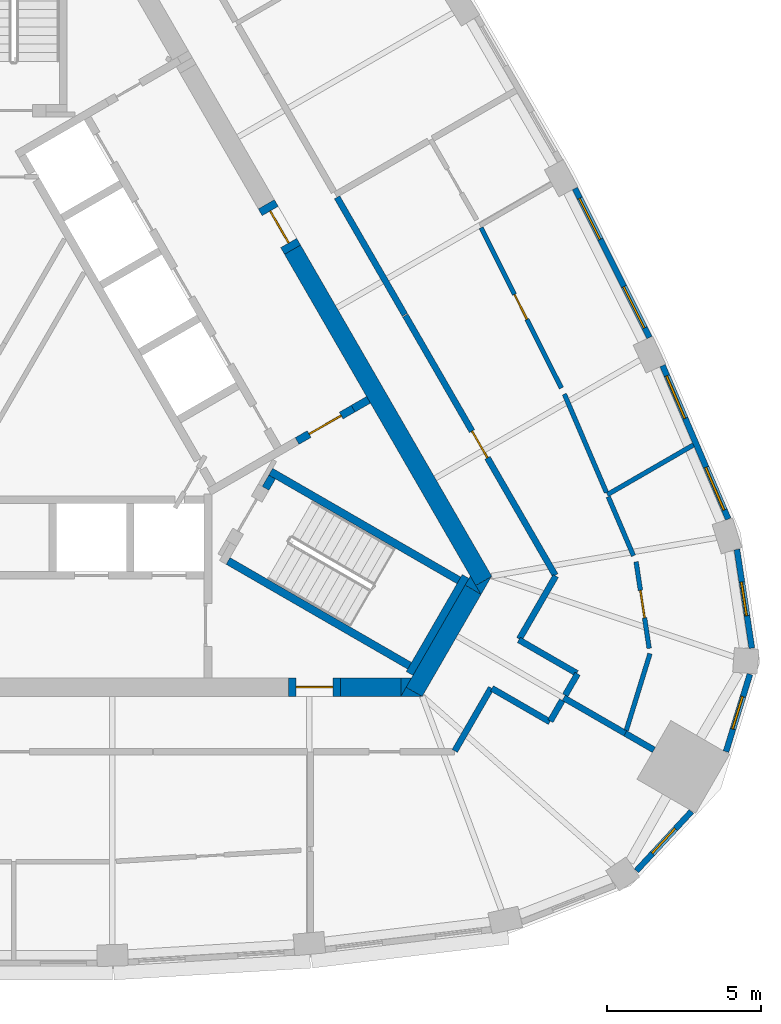
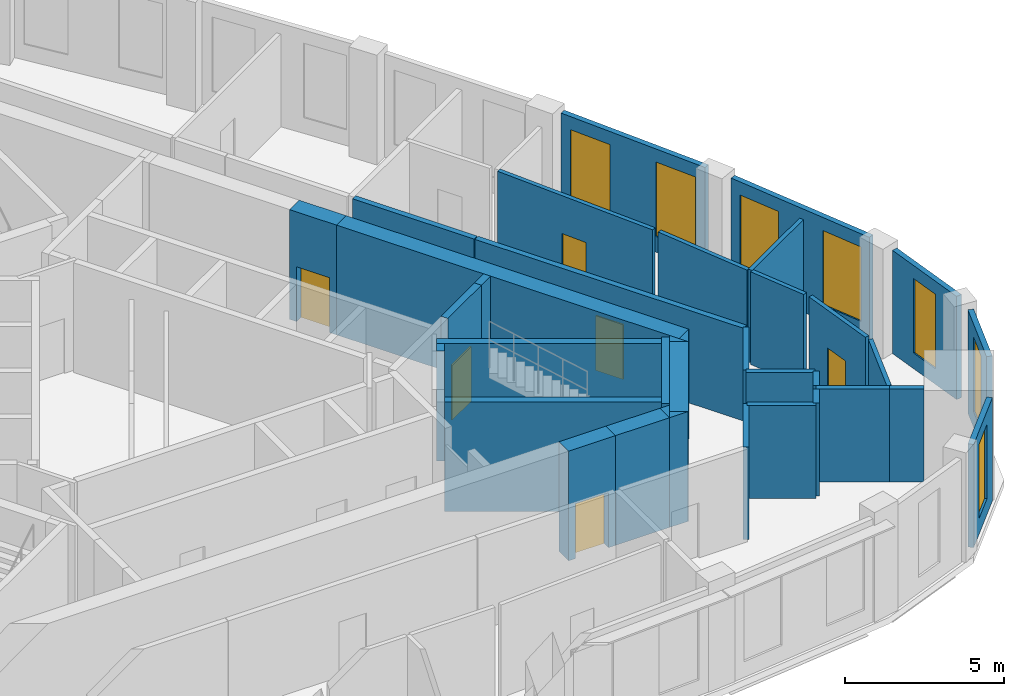
# One storey, part 7 of 10: 36 walls, 7 windows, 6 doors, 13 openings.
"""IFC4 building model written with IfcOpenShell, lengths in metres."""

from ifc_helpers import new_model, si_unit, direction, frame, frame_2d, origin, place, context, subcontext, project, spatial, polyline, rectangle, outline, extrude, material, layer, layer_set, type_object, element, fill, save


model = new_model("IFC4")

# Units and contexts
model_context = context("Model", 3, precision=1e-05, world=origin(), true_north=direction((0.0, 1.0)))
body_context = subcontext(model_context, "Body", "Model", "MODEL_VIEW")
ifc_project = project(units=[si_unit("LENGTHUNIT", "METRE"), si_unit("AREAUNIT", "SQUARE_METRE"), si_unit("VOLUMEUNIT", "CUBIC_METRE"), si_unit("PLANEANGLEUNIT", "RADIAN"), si_unit("MASSUNIT", "GRAM", prefix="KILO")], contexts=[model_context])

# Site, building, storey
site_placement = place(None, origin())
site = spatial("IfcSite", under=ifc_project, at=site_placement, CompositionType="ELEMENT")
building_placement = place(site_placement, origin())
building = spatial("IfcBuilding", under=site, at=building_placement, Name="Mestral Congress Tower", CompositionType="ELEMENT")
storey_placement = place(building_placement, frame((0.0, 0.0, 304.800048828125)))
storey = spatial("IfcBuildingStorey", under=building, at=storey_placement, Name="L71", CompositionType="ELEMENT", Elevation=304.800048828125)

# Walls
ifc_material_1 = material(Name="Concrete C60/75", Category="concrete")
ifc_layer_1 = layer(ifc_material_1, 0.60009765625)
ifc_layer_set_1 = layer_set([ifc_layer_1], Name="Concrete C60/75")
wall_type_1 = type_object("IfcWallType", Name="Core wall RC 600", PredefinedType="SOLIDWALL", material=ifc_layer_set_1)
wall_1_placement = place(storey_placement, frame((9.0419921875, 4.23876953125, 0.0), z_axis=(0.0, 0.0, 1.0), x_axis=(0.500005785455, -0.866022063525, 0.0)))
element("IfcWall", 1, at=wall_1_placement, inside=storey, type_object=wall_type_1, Name="L71 core wall", PredefinedType="SOLIDWALL", context=body_context, shape_type="SweptSolid", body=[
    extrude(rectangle(XDim=12.406494140625, YDim=0.60009765625, at=frame_2d((6.203125, 0.0))), origin(), (0.0, 0.0, 1.0), 4.199951171875),
])
placement = place(storey_placement, origin())
element("IfcWall", 2, at=placement, inside=storey, type_object=wall_type_1, Name="L71 core wall", PredefinedType="SOLIDWALL", context=body_context, shape_type="SweptSolid", body=[
    extrude(outline(polyline([(15.155517578125, -6.949951171875), (14.986572265625, -6.6572265625), (15.493408203125, -6.364501953125), (15.155517578125, -6.949951171875)])), origin(), (0.0, 0.0, 1.0), 4.199951171875),
])
wall_3_placement = place(storey_placement, frame((12.9873046875, -10.105712890625, 0.0), z_axis=(0.0, 0.0, 1.0), x_axis=(0.499950938802, 0.866053727428, 0.0)))
element("IfcWall", 3, at=wall_3_placement, inside=storey, type_object=wall_type_1, Name="L71 core wall", PredefinedType="SOLIDWALL", context=body_context, shape_type="SweptSolid", body=[
    extrude(rectangle(XDim=3.8232421875, YDim=0.60009765625, at=frame_2d((1.91162109375, 0.0))), origin(), (0.0, 0.0, 1.0), 4.199951171875),
])
element("IfcWall", 4, at=placement, inside=storey, type_object=wall_type_1, Name="L71 core wall", PredefinedType="SOLIDWALL", context=body_context, shape_type="SweptSolid", body=[
    extrude(outline(polyline([(12.726318359375, -9.957275390625), (13.2333984375, -10.25), (12.557373046875, -10.25), (12.726318359375, -9.957275390625)])), origin(), (0.0, 0.0, 1.0), 4.199951171875),
])
element("IfcWall", 5, at=placement, inside=storey, type_object=wall_type_1, Name="L71 core wall", PredefinedType="SOLIDWALL", context=body_context, shape_type="SweptSolid", body=[
    extrude(outline(polyline([(14.80908203125, -6.35009765625), (15.147216796875, -6.935791015625), (14.639892578125, -6.642822265625), (14.80908203125, -6.35009765625)])), origin(), (0.0, 0.0, 1.0), 4.199951171875),
])
wall_6_placement = place(storey_placement, frame((10.6044921875, -9.949951171875, 0.0), z_axis=(0.0, 0.0, 1.0), x_axis=(1.0, 0.0, 0.0)))
element("IfcWall", 6, at=wall_6_placement, inside=storey, type_object=wall_type_1, Name="L71 core wall", PredefinedType="SOLIDWALL", context=body_context, shape_type="SweptSolid", body=[
    extrude(rectangle(XDim=1.959228515625, YDim=0.60009765625, at=frame_2d((0.9794921875, 0.0))), origin(), (0.0, 0.0, 1.0), 4.199951171875),
])
element("IfcWall", 7, at=placement, inside=storey, type_object=wall_type_1, Name="L71 core wall", PredefinedType="SOLIDWALL", context=body_context, shape_type="SweptSolid", body=[
    extrude(outline(polyline([(12.90380859375, -9.64990234375), (12.56591796875, -10.235595703125), (12.56591796875, -9.64990234375), (12.90380859375, -9.64990234375)])), origin(), (0.0, 0.0, 1.0), 4.199951171875),
])

# Wall, opening, door
wall_8_placement = place(storey_placement, frame((10.6044921875, -9.949951171875, 0.0), z_axis=(0.0, 0.0, 1.0), x_axis=(-1.0, 0.0, 0.0)))
wall_8 = element("IfcWall", 8, at=wall_8_placement, inside=storey, type_object=wall_type_1, Name="L71 door wall", PredefinedType="SOLIDWALL", context=body_context, shape_type="SweptSolid", body=[
    extrude(rectangle(XDim=1.699951171875, YDim=0.60009765625, at=frame_2d((0.85009765625, 0.0))), origin(), (0.0, 0.0, 1.0), 4.199951171875),
])
opening_1_placement = place(wall_8_placement, frame((0.25, 0.0, 0.0)))
opening_1 = element("IfcOpeningElement", 9, at=opening_1_placement, cuts=wall_8, Name="Opening XD1", PredefinedType="OPENING", context=body_context, shape_type="SweptSolid", body=[
    extrude(rectangle(XDim=1.199951171875, YDim=2.10009765625, at=frame_2d((0.60009765625, 1.050048828125))), frame((0.0, 0.31005859375, 0.0), z_axis=(0.0, -1.0, 0.0), x_axis=(1.0, 0.0, 0.0)), (0.0, 0.0, 1.0), 0.6201171875),
])
ifc_material_2 = material(Name="Fire-rated steel door set", Category="steel")
door_type_1 = type_object("IfcDoorType", Name="Core door XD 1200x2100", OperationType="SINGLE_SWING_LEFT", PredefinedType="DOOR", material=ifc_material_2)
door_1_placement = place(opening_1_placement, origin())
door_1 = element("IfcDoor", 10, at=door_1_placement, inside=storey, type_object=door_type_1, Name="Door XD1", OperationType="SINGLE_SWING_LEFT", OverallHeight=2.10009765625, OverallWidth=1.199951171875, PredefinedType="DOOR", context=body_context, shape_type="SweptSolid", body=[
    extrude(rectangle(XDim=1.199951171875, YDim=2.10009765625, at=frame_2d((0.60009765625, 1.050048828125))), frame((0.0, 0.02490234375, 0.0), z_axis=(0.0, -1.0, 0.0), x_axis=(1.0, 0.0, 0.0)), (0.0, 0.0, 1.0), 0.050048828125),
])
fill(opening_1, door_1)

wall_9_placement = place(storey_placement, frame((8.19189453125, 5.711181640625, 0.0), z_axis=(0.0, 0.0, 1.0), x_axis=(0.500062241894, -0.865989465428, 0.0)))
wall_9 = element("IfcWall", 11, at=wall_9_placement, inside=storey, type_object=wall_type_1, Name="L71 door wall", PredefinedType="SOLIDWALL", context=body_context, shape_type="SweptSolid", body=[
    extrude(rectangle(XDim=1.699951171875, YDim=0.60009765625, at=frame_2d((0.85009765625, 0.0))), origin(), (0.0, 0.0, 1.0), 4.199951171875),
])
opening_2_placement = place(wall_9_placement, frame((0.25, 0.0, 0.0)))
opening_2 = element("IfcOpeningElement", 12, at=opening_2_placement, cuts=wall_9, Name="Opening XDL", PredefinedType="OPENING", context=body_context, shape_type="SweptSolid", body=[
    extrude(rectangle(XDim=1.199951171875, YDim=2.10009765625, at=frame_2d((0.60009765625, 1.050048828125))), frame((0.0, 0.31005859375, 0.0), z_axis=(0.0, -1.0, 0.0), x_axis=(1.0, 0.0, 0.0)), (0.0, 0.0, 1.0), 0.6201171875),
])
door_2_placement = place(opening_2_placement, origin())
door_2 = element("IfcDoor", 13, at=door_2_placement, inside=storey, type_object=door_type_1, Name="Door XDL", OperationType="SINGLE_SWING_LEFT", OverallHeight=2.10009765625, OverallWidth=1.199951171875, PredefinedType="DOOR", context=body_context, shape_type="SweptSolid", body=[
    extrude(rectangle(XDim=1.199951171875, YDim=2.10009765625, at=frame_2d((0.60009765625, 1.050048828125))), frame((0.0, 0.02490234375, 0.0), z_axis=(0.0, -1.0, 0.0), x_axis=(1.0, 0.0, 0.0)), (0.0, 0.0, 1.0), 0.050048828125),
])
fill(opening_2, door_2)

# Wall, opening, window
ifc_material_3 = material(Name="Precast concrete C40/50 with limestone facing", Category="masonry")
ifc_layer_2 = layer(ifc_material_3, 0.18994140625)
ifc_layer_set_2 = layer_set([ifc_layer_2], Name="Precast concrete C40/50 with limestone facing")
wall_type_2 = type_object("IfcWallType", Name="Facade stone wall 190", PredefinedType="SOLIDWALL", material=ifc_layer_set_2)
wall_10_placement = place(storey_placement, frame((20.197998046875, -15.91357421875, 0.0), z_axis=(0.0, 0.0, 1.0), x_axis=(0.680219354823, 0.733008614768, 0.0)))
wall_10 = element("IfcWall", 14, at=wall_10_placement, inside=storey, type_object=wall_type_2, Name="Facade wall K0-1", PredefinedType="SOLIDWALL", context=body_context, shape_type="SweptSolid", body=[
    extrude(rectangle(XDim=2.626953125, YDim=0.18994140625, at=frame_2d((1.3134765625, 0.0))), origin(), (0.0, 0.0, 1.0), 3.949951171875),
])
opening_3_placement = place(wall_10_placement, frame((0.763427734375, 0.0, 0.60009765625)))
opening_3 = element("IfcOpeningElement", 15, at=opening_3_placement, cuts=wall_10, Name="Opening W7", PredefinedType="OPENING", context=body_context, shape_type="SweptSolid", body=[
    extrude(rectangle(XDim=1.10009765625, YDim=2.85009765625, at=frame_2d((0.550048828125, 1.425048828125))), frame((0.0, 0.10498046875, 0.0), z_axis=(0.0, -1.0, 0.0), x_axis=(1.0, 0.0, 0.0)), (0.0, 0.0, 1.0), 0.2099609375),
])
ifc_material_4 = material(Name="Clear low-emissivity double glazing", Category="glass")
window_type_1 = type_object("IfcWindowType", Name="Facade punched window 1100 x 2850 sill 600", PartitioningType="SINGLE_PANEL", PredefinedType="WINDOW", material=ifc_material_4)
window_1_placement = place(opening_3_placement, origin())
window_1 = element("IfcWindow", 16, at=window_1_placement, inside=storey, type_object=window_type_1, Name="Window K0-1", OverallHeight=2.85009765625, OverallWidth=1.10009765625, PartitioningType="SINGLE_PANEL", PredefinedType="WINDOW", context=body_context, shape_type="SweptSolid", body=[
    extrude(rectangle(XDim=1.10009765625, YDim=2.85009765625, at=frame_2d((0.550048828125, 1.425048828125))), frame((0.0, 0.044921875, 0.0), z_axis=(0.0, -1.0, 0.0), x_axis=(1.0, 0.0, 0.0)), (0.0, 0.0, 1.0), 0.06005859375),
])
fill(opening_3, window_1)

wall_11_placement = place(storey_placement, frame((23.1064453125, -12.04541015625, 0.0), z_axis=(0.0, 0.0, 1.0), x_axis=(0.294706210429, 0.9555879078, 0.0)))
wall_11 = element("IfcWall", 17, at=wall_11_placement, inside=storey, type_object=wall_type_2, Name="Facade wall K0-2", PredefinedType="SOLIDWALL", context=body_context, shape_type="SweptSolid", body=[
    extrude(rectangle(XDim=2.626953125, YDim=0.18994140625, at=frame_2d((1.3134765625, 0.0))), origin(), (0.0, 0.0, 1.0), 3.949951171875),
])
opening_4_placement = place(wall_11_placement, frame((0.763427734375, 0.0, 0.60009765625)))
opening_4 = element("IfcOpeningElement", 18, at=opening_4_placement, cuts=wall_11, Name="Opening W7", PredefinedType="OPENING", context=body_context, shape_type="SweptSolid", body=[
    extrude(rectangle(XDim=1.10009765625, YDim=2.85009765625, at=frame_2d((0.550048828125, 1.425048828125))), frame((0.0, 0.10498046875, 0.0), z_axis=(0.0, -1.0, 0.0), x_axis=(1.0, 0.0, 0.0)), (0.0, 0.0, 1.0), 0.2099609375),
])
window_2_placement = place(opening_4_placement, origin())
window_2 = element("IfcWindow", 19, at=window_2_placement, inside=storey, type_object=window_type_1, Name="Window K0-2", OverallHeight=2.85009765625, OverallWidth=1.10009765625, PartitioningType="SINGLE_PANEL", PredefinedType="WINDOW", context=body_context, shape_type="SweptSolid", body=[
    extrude(rectangle(XDim=1.10009765625, YDim=2.85009765625, at=frame_2d((0.550048828125, 1.425048828125))), frame((0.0, 0.044921875, 0.0), z_axis=(0.0, -1.0, 0.0), x_axis=(1.0, 0.0, 0.0)), (0.0, 0.0, 1.0), 0.06005859375),
])
fill(opening_4, window_2)

wall_12_placement = place(storey_placement, frame((23.94384765625, -8.6884765625, 0.0), z_axis=(0.0, 0.0, 1.0), x_axis=(-0.149421055602, 0.988773658702, 0.0)))
wall_12 = element("IfcWall", 20, at=wall_12_placement, inside=storey, type_object=wall_type_2, Name="Facade wall K0-3", PredefinedType="SOLIDWALL", context=body_context, shape_type="SweptSolid", body=[
    extrude(rectangle(XDim=3.23681640625, YDim=0.18994140625, at=frame_2d((1.618408203125, 0.0))), origin(), (0.0, 0.0, 1.0), 3.949951171875),
])
opening_5_placement = place(wall_12_placement, frame((1.068359375, 0.0, 0.60009765625)))
opening_5 = element("IfcOpeningElement", 21, at=opening_5_placement, cuts=wall_12, Name="Opening W7", PredefinedType="OPENING", context=body_context, shape_type="SweptSolid", body=[
    extrude(rectangle(XDim=1.10009765625, YDim=2.85009765625, at=frame_2d((0.550048828125, 1.425048828125))), frame((0.0, 0.10498046875, 0.0), z_axis=(0.0, -1.0, 0.0), x_axis=(1.0, 0.0, 0.0)), (0.0, 0.0, 1.0), 0.2099609375),
])
window_3_placement = place(opening_5_placement, origin())
window_3 = element("IfcWindow", 22, at=window_3_placement, inside=storey, type_object=window_type_1, Name="Window K0-3", OverallHeight=2.85009765625, OverallWidth=1.10009765625, PartitioningType="SINGLE_PANEL", PredefinedType="WINDOW", context=body_context, shape_type="SweptSolid", body=[
    extrude(rectangle(XDim=1.10009765625, YDim=2.85009765625, at=frame_2d((0.550048828125, 1.425048828125))), frame((0.0, 0.044921875, 0.0), z_axis=(0.0, -1.0, 0.0), x_axis=(1.0, 0.0, 0.0)), (0.0, 0.0, 1.0), 0.06005859375),
])
fill(opening_5, window_3)

# Wall, openings, windows
wall_13_placement = place(storey_placement, frame((23.1787109375, -4.50048828125, 0.0), z_axis=(0.0, 0.0, 1.0), x_axis=(-0.393347848476, 0.919389726992, 0.0)))
wall_13 = element("IfcWall", 23, at=wall_13_placement, inside=storey, type_object=wall_type_2, Name="Facade wall F1-00", PredefinedType="SOLIDWALL", context=body_context, shape_type="SweptSolid", body=[
    extrude(rectangle(XDim=5.414794921875, YDim=0.18994140625, at=frame_2d((2.70751953125, 0.0))), origin(), (0.0, 0.0, 1.0), 3.949951171875),
])
opening_6_placement = place(wall_13_placement, frame((0.322509765625, 0.0, 0.60009765625)))
opening_6 = element("IfcOpeningElement", 24, at=opening_6_placement, cuts=wall_13, Name="Opening W6", PredefinedType="OPENING", context=body_context, shape_type="SweptSolid", body=[
    extrude(rectangle(XDim=1.5, YDim=2.85009765625, at=frame_2d((0.75, 1.425048828125))), frame((0.0, 0.10498046875, 0.0), z_axis=(0.0, -1.0, 0.0), x_axis=(1.0, 0.0, 0.0)), (0.0, 0.0, 1.0), 0.2099609375),
])
opening_7_placement = place(wall_13_placement, frame((3.5576171875, 0.0, 0.60009765625)))
opening_7 = element("IfcOpeningElement", 25, at=opening_7_placement, cuts=wall_13, Name="Opening W6", PredefinedType="OPENING", context=body_context, shape_type="SweptSolid", body=[
    extrude(rectangle(XDim=1.5, YDim=2.85009765625, at=frame_2d((0.75, 1.425048828125))), frame((0.0, 0.10498046875, 0.0), z_axis=(0.0, -1.0, 0.0), x_axis=(1.0, 0.0, 0.0)), (0.0, 0.0, 1.0), 0.2099609375),
])
window_type_2 = type_object("IfcWindowType", Name="Facade punched window 1500 x 2850 sill 600", PartitioningType="SINGLE_PANEL", PredefinedType="WINDOW", material=ifc_material_4)
window_4_placement = place(opening_6_placement, origin())
window_4 = element("IfcWindow", 26, at=window_4_placement, inside=storey, type_object=window_type_2, Name="Window F1-00a", OverallHeight=2.85009765625, OverallWidth=1.5, PartitioningType="SINGLE_PANEL", PredefinedType="WINDOW", context=body_context, shape_type="SweptSolid", body=[
    extrude(rectangle(XDim=1.5, YDim=2.85009765625, at=frame_2d((0.75, 1.425048828125))), frame((0.0, 0.044921875, 0.0), z_axis=(0.0, -1.0, 0.0), x_axis=(1.0, 0.0, 0.0)), (0.0, 0.0, 1.0), 0.06005859375),
])
fill(opening_6, window_4)
window_5_placement = place(opening_7_placement, origin())
window_5 = element("IfcWindow", 27, at=window_5_placement, inside=storey, type_object=window_type_2, Name="Window F1-00b", OverallHeight=2.85009765625, OverallWidth=1.5, PartitioningType="SINGLE_PANEL", PredefinedType="WINDOW", context=body_context, shape_type="SweptSolid", body=[
    extrude(rectangle(XDim=1.5, YDim=2.85009765625, at=frame_2d((0.75, 1.425048828125))), frame((0.0, 0.044921875, 0.0), z_axis=(0.0, -1.0, 0.0), x_axis=(1.0, 0.0, 0.0)), (0.0, 0.0, 1.0), 0.06005859375),
])
fill(opening_7, window_5)

wall_14_placement = place(storey_placement, frame((20.625, 1.39208984375, 0.0), z_axis=(0.0, 0.0, 1.0), x_axis=(-0.447484531401, 0.894291671747, 0.0)))
wall_14 = element("IfcWall", 28, at=wall_14_placement, inside=storey, type_object=wall_type_2, Name="Facade wall F1-01", PredefinedType="SOLIDWALL", context=body_context, shape_type="SweptSolid", body=[
    extrude(rectangle(XDim=5.40625, YDim=0.18994140625, at=frame_2d((2.703125, 0.0))), origin(), (0.0, 0.0, 1.0), 3.949951171875),
])
opening_8_placement = place(wall_14_placement, frame((0.346435546875, 0.0, 0.60009765625)))
opening_8 = element("IfcOpeningElement", 29, at=opening_8_placement, cuts=wall_14, Name="Opening W6", PredefinedType="OPENING", context=body_context, shape_type="SweptSolid", body=[
    extrude(rectangle(XDim=1.5, YDim=2.85009765625, at=frame_2d((0.75, 1.425048828125))), frame((0.0, 0.10498046875, 0.0), z_axis=(0.0, -1.0, 0.0), x_axis=(1.0, 0.0, 0.0)), (0.0, 0.0, 1.0), 0.2099609375),
])
opening_9_placement = place(wall_14_placement, frame((3.559326171875, 0.0, 0.60009765625)))
opening_9 = element("IfcOpeningElement", 30, at=opening_9_placement, cuts=wall_14, Name="Opening W6", PredefinedType="OPENING", context=body_context, shape_type="SweptSolid", body=[
    extrude(rectangle(XDim=1.5, YDim=2.85009765625, at=frame_2d((0.75, 1.425048828125))), frame((0.0, 0.10498046875, 0.0), z_axis=(0.0, -1.0, 0.0), x_axis=(1.0, 0.0, 0.0)), (0.0, 0.0, 1.0), 0.2099609375),
])
window_6_placement = place(opening_8_placement, origin())
window_6 = element("IfcWindow", 31, at=window_6_placement, inside=storey, type_object=window_type_2, Name="Window F1-01a", OverallHeight=2.85009765625, OverallWidth=1.5, PartitioningType="SINGLE_PANEL", PredefinedType="WINDOW", context=body_context, shape_type="SweptSolid", body=[
    extrude(rectangle(XDim=1.5, YDim=2.85009765625, at=frame_2d((0.75, 1.425048828125))), frame((0.0, 0.044921875, 0.0), z_axis=(0.0, -1.0, 0.0), x_axis=(1.0, 0.0, 0.0)), (0.0, 0.0, 1.0), 0.06005859375),
])
fill(opening_8, window_6)
window_7_placement = place(opening_9_placement, origin())
window_7 = element("IfcWindow", 32, at=window_7_placement, inside=storey, type_object=window_type_2, Name="Window F1-01b", OverallHeight=2.85009765625, OverallWidth=1.5, PartitioningType="SINGLE_PANEL", PredefinedType="WINDOW", context=body_context, shape_type="SweptSolid", body=[
    extrude(rectangle(XDim=1.5, YDim=2.85009765625, at=frame_2d((0.75, 1.425048828125))), frame((0.0, 0.044921875, 0.0), z_axis=(0.0, -1.0, 0.0), x_axis=(1.0, 0.0, 0.0)), (0.0, 0.0, 1.0), 0.06005859375),
])
fill(opening_9, window_7)

# Walls
ifc_material_5 = material(Name="Plasterboard partition on steel studs", Category="steel")
ifc_layer_3 = layer(ifc_material_5, 0.14990234375)
ifc_layer_set_3 = layer_set([ifc_layer_3], Name="Plasterboard partition on steel studs")
wall_type_3 = type_object("IfcWallType", Name="Office partition 150", PredefinedType="PARTITIONING", material=ifc_layer_set_3)
wall_15_placement = place(storey_placement, frame((19.255859375, -3.708251953125, 0.0), z_axis=(0.0, 0.0, 1.0), x_axis=(0.866053139749, 0.499951956822, 0.0)))
element("IfcWall", 33, at=wall_15_placement, inside=storey, type_object=wall_type_3, Name="Partition", PredefinedType="PARTITIONING", context=body_context, shape_type="SweptSolid", body=[
    extrude(rectangle(XDim=3.222900390625, YDim=0.14990234375, at=frame_2d((1.611328125, 0.0))), origin(), (0.0, 0.0, 1.0), 3.550048828125),
])
wall_16_placement = place(storey_placement, frame((19.87060546875, -11.35693359375, 0.0), z_axis=(0.0, 0.0, 1.0), x_axis=(0.294698154857, 0.955590392126, 0.0)))
element("IfcWall", 34, at=wall_16_placement, inside=storey, type_object=wall_type_3, Name="Partition", PredefinedType="PARTITIONING", context=body_context, shape_type="SweptSolid", body=[
    extrude(rectangle(XDim=2.60546875, YDim=0.14990234375, at=frame_2d((1.302734375, 0.0))), origin(), (0.0, 0.0, 1.0), 3.550048828125),
])

# Wall, opening, door
wall_17_placement = place(storey_placement, frame((20.188232421875, -5.8876953125, 0.0), z_axis=(0.0, 0.0, 1.0), x_axis=(0.149382709391, -0.988779452727, 0.0)))
wall_17 = element("IfcWall", 35, at=wall_17_placement, inside=storey, type_object=wall_type_3, Name="Partition", PredefinedType="PARTITIONING", context=body_context, shape_type="SweptSolid", body=[
    extrude(rectangle(XDim=2.840576171875, YDim=0.14990234375, at=frame_2d((1.42041015625, 0.0))), origin(), (0.0, 0.0, 1.0), 3.550048828125),
])
opening_10_placement = place(wall_17_placement, frame((0.940673828125, 0.0, 0.0)))
opening_10 = element("IfcOpeningElement", 36, at=opening_10_placement, cuts=wall_17, Name="Opening O14-005", PredefinedType="OPENING", context=body_context, shape_type="SweptSolid", body=[
    extrude(rectangle(XDim=0.89990234375, YDim=2.10009765625, at=frame_2d((0.449951171875, 1.050048828125))), frame((0.0, 0.0849609375, 0.0), z_axis=(0.0, -1.0, 0.0), x_axis=(1.0, 0.0, 0.0)), (0.0, 0.0, 1.0), 0.169921875),
])
ifc_material_6 = material(Name="Timber door set", Category="wood")
door_type_2 = type_object("IfcDoorType", Name="Office door 900x2100", OperationType="SINGLE_SWING_LEFT", PredefinedType="DOOR", material=ifc_material_6)
door_3_placement = place(opening_10_placement, origin())
door_3 = element("IfcDoor", 37, at=door_3_placement, inside=storey, type_object=door_type_2, Name="Door O14-005", OperationType="SINGLE_SWING_LEFT", OverallHeight=2.10009765625, OverallWidth=0.89990234375, PredefinedType="DOOR", context=body_context, shape_type="SweptSolid", body=[
    extrude(rectangle(XDim=0.89990234375, YDim=2.10009765625, at=frame_2d((0.449951171875, 1.050048828125))), frame((0.0, 0.02490234375, 0.0), z_axis=(0.0, -1.0, 0.0), x_axis=(1.0, 0.0, 0.0)), (0.0, 0.0, 1.0), 0.050048828125),
])
fill(opening_10, door_3)

# Walls
wall_18_placement = place(storey_placement, frame((20.10400390625, -5.6904296875, 0.0), z_axis=(0.0, 0.0, 1.0), x_axis=(-0.393381007091, 0.919375539842, 0.0)))
element("IfcWall", 38, at=wall_18_placement, inside=storey, type_object=wall_type_3, Name="Partition", PredefinedType="PARTITIONING", context=body_context, shape_type="SweptSolid", body=[
    extrude(rectangle(XDim=2.080322265625, YDim=0.14990234375, at=frame_2d((1.0400390625, 0.0))), origin(), (0.0, 0.0, 1.0), 3.550048828125),
])
wall_19_placement = place(storey_placement, frame((19.226318359375, -3.638916015625, 0.0), z_axis=(0.0, 0.0, 1.0), x_axis=(-0.393350933662, 0.919388407033, 0.0)))
element("IfcWall", 39, at=wall_19_placement, inside=storey, type_object=wall_type_3, Name="Partition", PredefinedType="PARTITIONING", context=body_context, shape_type="SweptSolid", body=[
    extrude(rectangle(XDim=3.473876953125, YDim=0.14990234375, at=frame_2d((1.73681640625, 0.0))), origin(), (0.0, 0.0, 1.0), 3.550048828125),
])

# Wall, opening, door
wall_20_placement = place(storey_placement, frame((15.157958984375, 4.954833984375, 0.0), z_axis=(0.0, 0.0, 1.0), x_axis=(0.447465104013, -0.894301392535, 0.0)))
wall_20 = element("IfcWall", 40, at=wall_20_placement, inside=storey, type_object=wall_type_3, Name="Partition", PredefinedType="PARTITIONING", context=body_context, shape_type="SweptSolid", body=[
    extrude(rectangle(XDim=5.82373046875, YDim=0.14990234375, at=frame_2d((2.911865234375, 0.0))), origin(), (0.0, 0.0, 1.0), 3.550048828125),
])
opening_11_placement = place(wall_20_placement, frame((2.423828125, 0.0, 0.0)))
opening_11 = element("IfcOpeningElement", 41, at=opening_11_placement, cuts=wall_20, Name="Opening O14-006", PredefinedType="OPENING", context=body_context, shape_type="SweptSolid", body=[
    extrude(rectangle(XDim=0.89990234375, YDim=2.10009765625, at=frame_2d((0.449951171875, 1.050048828125))), frame((0.0, 0.0849609375, 0.0), z_axis=(0.0, -1.0, 0.0), x_axis=(1.0, 0.0, 0.0)), (0.0, 0.0, 1.0), 0.169921875),
])
door_4_placement = place(opening_11_placement, origin())
door_4 = element("IfcDoor", 42, at=door_4_placement, inside=storey, type_object=door_type_2, Name="Door O14-006", OperationType="SINGLE_SWING_LEFT", OverallHeight=2.10009765625, OverallWidth=0.89990234375, PredefinedType="DOOR", context=body_context, shape_type="SweptSolid", body=[
    extrude(rectangle(XDim=0.89990234375, YDim=2.10009765625, at=frame_2d((0.449951171875, 1.050048828125))), frame((0.0, 0.02490234375, 0.0), z_axis=(0.0, -1.0, 0.0), x_axis=(1.0, 0.0, 0.0)), (0.0, 0.0, 1.0), 0.050048828125),
])
fill(opening_11, door_4)

# Walls
ifc_material_7 = material(Name="Dense masonry wall, plastered", Category="masonry")
ifc_layer_4 = layer(ifc_material_7, 0.199951171875)
ifc_layer_set_4 = layer_set([ifc_layer_4], Name="Dense masonry wall, plastered")
wall_type_4 = type_object("IfcWallType", Name="Office tenancy wall 200", PredefinedType="PARTITIONING", material=ifc_layer_set_4)
wall_21_placement = place(storey_placement, frame((19.8369140625, -11.452880859375, 0.0), z_axis=(0.0, 0.0, 1.0), x_axis=(0.866049104564, -0.499958946799, 0.0)))
element("IfcWall", 43, at=wall_21_placement, inside=storey, type_object=wall_type_4, Name="Tenancy wall", PredefinedType="PARTITIONING", context=body_context, shape_type="SweptSolid", body=[
    extrude(rectangle(XDim=1.072265625, YDim=0.199951171875, at=frame_2d((0.5361328125, 0.0))), origin(), (0.0, 0.0, 1.0), 3.550048828125),
])
wall_22_placement = place(storey_placement, frame((17.840087890625, -10.300048828125, 0.0), z_axis=(0.0, 0.0, 1.0), x_axis=(0.866066110499, -0.499929487274, 0.0)))
element("IfcWall", 44, at=wall_22_placement, inside=storey, type_object=wall_type_4, Name="Tenancy wall", PredefinedType="PARTITIONING", context=body_context, shape_type="SweptSolid", body=[
    extrude(rectangle(XDim=2.313720703125, YDim=0.199951171875, at=frame_2d((1.15673828125, 0.0))), origin(), (0.0, 0.0, 1.0), 3.550048828125),
])
wall_23_placement = place(storey_placement, frame((14.304443359375, -12.02392578125, 0.0), z_axis=(0.0, 0.0, 1.0), x_axis=(0.500020852261, 0.866013364391, 0.0)))
element("IfcWall", 45, at=wall_23_placement, inside=storey, type_object=wall_type_4, Name="Tenancy wall", PredefinedType="PARTITIONING", context=body_context, shape_type="SweptSolid", body=[
    extrude(rectangle(XDim=2.36083984375, YDim=0.199951171875, at=frame_2d((1.180419921875, 0.0))), origin(), (0.0, 0.0, 1.0), 3.550048828125),
])
wall_24_placement = place(storey_placement, frame((15.5107421875, -9.994384765625, 0.0), z_axis=(0.0, 0.0, 1.0), x_axis=(0.866046953215, -0.499962673433, 0.0)))
element("IfcWall", 46, at=wall_24_placement, inside=storey, type_object=wall_type_4, Name="Tenancy wall", PredefinedType="PARTITIONING", context=body_context, shape_type="SweptSolid", body=[
    extrude(rectangle(XDim=2.170166015625, YDim=0.199951171875, at=frame_2d((1.0849609375, 0.0))), origin(), (0.0, 0.0, 1.0), 3.550048828125),
])
wall_25_placement = place(storey_placement, frame((17.405029296875, -11.053466796875, 0.0), z_axis=(0.0, 0.0, 1.0), x_axis=(0.500060979923, 0.865990194147, 0.0)))
element("IfcWall", 47, at=wall_25_placement, inside=storey, type_object=wall_type_4, Name="Tenancy wall", PredefinedType="PARTITIONING", context=body_context, shape_type="SweptSolid", body=[
    extrude(rectangle(XDim=0.77001953125, YDim=0.199951171875, at=frame_2d((0.385009765625, 0.0))), origin(), (0.0, 0.0, 1.0), 3.550048828125),
])
wall_26_placement = place(storey_placement, frame((12.685546875, 2.1279296875, 0.0), z_axis=(0.0, 0.0, 1.0), x_axis=(-0.499988222896, 0.866032203192, 0.0)))
element("IfcWall", 48, at=wall_26_placement, inside=storey, type_object=wall_type_4, Name="Tenancy wall", PredefinedType="PARTITIONING", context=body_context, shape_type="SweptSolid", body=[
    extrude(rectangle(XDim=4.39990234375, YDim=0.199951171875, at=frame_2d((2.199951171875, 0.0))), origin(), (0.0, 0.0, 1.0), 3.550048828125),
])
wall_27_placement = place(storey_placement, frame((17.89013671875, -10.21337890625, 0.0), z_axis=(0.0, 0.0, 1.0), x_axis=(0.499880961361, 0.866094119867, 0.0)))
element("IfcWall", 49, at=wall_27_placement, inside=storey, type_object=wall_type_4, Name="Tenancy wall", PredefinedType="PARTITIONING", context=body_context, shape_type="SweptSolid", body=[
    extrude(rectangle(XDim=0.800048828125, YDim=0.199951171875, at=frame_2d((0.39990234375, 0.0))), origin(), (0.0, 0.0, 1.0), 3.550048828125),
])
wall_28_placement = place(storey_placement, frame((18.26416015625, -9.505615234375, 0.0), z_axis=(0.0, 0.0, 1.0), x_axis=(-0.866018827591, 0.500011390128, 0.0)))
element("IfcWall", 50, at=wall_28_placement, inside=storey, type_object=wall_type_4, Name="Tenancy wall", PredefinedType="PARTITIONING", context=body_context, shape_type="SweptSolid", body=[
    extrude(rectangle(XDim=2.169921875, YDim=0.199951171875, at=frame_2d((1.0849609375, 0.0))), origin(), (0.0, 0.0, 1.0), 3.550048828125),
])
wall_29_placement = place(storey_placement, frame((16.39990234375, -8.39453125, 0.0), z_axis=(0.0, 0.0, 1.0), x_axis=(0.500020852261, 0.866013364391, 0.0)))
element("IfcWall", 51, at=wall_29_placement, inside=storey, type_object=wall_type_4, Name="Tenancy wall", PredefinedType="PARTITIONING", context=body_context, shape_type="SweptSolid", body=[
    extrude(rectangle(XDim=2.36083984375, YDim=0.199951171875, at=frame_2d((1.180419921875, 0.0))), origin(), (0.0, 0.0, 1.0), 3.550048828125),
])

# Wall, opening, door
wall_30_placement = place(storey_placement, frame((17.565185546875, -6.323974609375, 0.0), z_axis=(0.0, 0.0, 1.0), x_axis=(-0.499990354792, 0.866030972376, 0.0)))
wall_30 = element("IfcWall", 52, at=wall_30_placement, inside=storey, type_object=wall_type_4, Name="Tenancy wall", PredefinedType="PARTITIONING", context=body_context, shape_type="SweptSolid", body=[
    extrude(rectangle(XDim=9.729248046875, YDim=0.199951171875, at=frame_2d((4.86474609375, 0.0))), origin(), (0.0, 0.0, 1.0), 3.550048828125),
])
opening_12_placement = place(wall_30_placement, frame((4.39990234375, 0.0, 0.0)))
opening_12 = element("IfcOpeningElement", 53, at=opening_12_placement, cuts=wall_30, Name="Opening O14-008", PredefinedType="OPENING", context=body_context, shape_type="SweptSolid", body=[
    extrude(rectangle(XDim=1.0, YDim=2.10009765625, at=frame_2d((0.5, 1.050048828125))), frame((0.0, 0.10986328125, 0.0), z_axis=(0.0, -1.0, 0.0), x_axis=(1.0, 0.0, 0.0)), (0.0, 0.0, 1.0), 0.219970703125),
])
ifc_material_8 = material(Name="Fire-rated timber door set", Category="wood")
door_type_3 = type_object("IfcDoorType", Name="Office tenancy entrance door 1000x2100", OperationType="SINGLE_SWING_LEFT", PredefinedType="DOOR", material=ifc_material_8)
door_5_placement = place(opening_12_placement, origin())
door_5 = element("IfcDoor", 54, at=door_5_placement, inside=storey, type_object=door_type_3, Name="Door O14-008", OperationType="SINGLE_SWING_RIGHT", OverallHeight=2.10009765625, OverallWidth=1.0, PredefinedType="DOOR", context=body_context, shape_type="SweptSolid", body=[
    extrude(rectangle(XDim=1.0, YDim=2.10009765625, at=frame_2d((0.5, 1.050048828125))), frame((0.0, 0.02490234375, 0.0), z_axis=(0.0, -1.0, 0.0), x_axis=(1.0, 0.0, 0.0)), (0.0, 0.0, 1.0), 0.050048828125),
])
fill(opening_12, door_5)

# Wall
ifc_layer_5 = layer(ifc_material_1, 0.25)
ifc_layer_set_5 = layer_set([ifc_layer_5], Name="Concrete C60/75")
wall_type_5 = type_object("IfcWallType", Name="Shaft wall RC 250", PredefinedType="SOLIDWALL", material=ifc_layer_set_5)
wall_31_placement = place(storey_placement, frame((11.507080078125, -0.631103515625, 0.0), z_axis=(0.0, 0.0, 1.0), x_axis=(-0.866093731455, -0.499881634324, 0.0)))
element("IfcWall", 55, at=wall_31_placement, inside=storey, type_object=wall_type_5, Name="L71 core wall", PredefinedType="SOLIDWALL", context=body_context, shape_type="SweptSolid", body=[
    extrude(rectangle(XDim=0.575439453125, YDim=0.25, at=frame_2d((0.28759765625, 0.0))), origin(), (0.0, 0.0, 1.0), 4.199951171875),
])

# Wall, opening, door
wall_32_placement = place(storey_placement, frame((11.0087890625, -0.918701171875, 0.0), z_axis=(0.0, 0.0, 1.0), x_axis=(-0.866059744384, -0.49994051562, 0.0)))
wall_32 = element("IfcWall", 56, at=wall_32_placement, inside=storey, type_object=wall_type_5, Name="L71 door wall", PredefinedType="SOLIDWALL", context=body_context, shape_type="SweptSolid", body=[
    extrude(rectangle(XDim=2.099853515625, YDim=0.25, at=frame_2d((1.0498046875, 0.0))), origin(), (0.0, 0.0, 1.0), 4.199951171875),
])
opening_13_placement = place(wall_32_placement, frame((0.449951171875, 0.0, 0.0)))
opening_13 = element("IfcOpeningElement", 57, at=opening_13_placement, cuts=wall_32, Name="Opening LB1-PX10", PredefinedType="OPENING", context=body_context, shape_type="SweptSolid", body=[
    extrude(rectangle(XDim=1.199951171875, YDim=2.10009765625, at=frame_2d((0.60009765625, 1.050048828125))), frame((0.0, 0.135009765625, 0.0), z_axis=(0.0, -1.0, 0.0), x_axis=(1.0, 0.0, 0.0)), (0.0, 0.0, 1.0), 0.27001953125),
])
door_type_4 = type_object("IfcDoorType", Name="Core door LB 1200x2100", OperationType="SINGLE_SWING_LEFT", PredefinedType="DOOR", material=ifc_material_2)
door_6_placement = place(opening_13_placement, origin())
door_6 = element("IfcDoor", 58, at=door_6_placement, inside=storey, type_object=door_type_4, Name="Door LB1-PX10", OperationType="SINGLE_SWING_LEFT", OverallHeight=2.10009765625, OverallWidth=1.199951171875, PredefinedType="DOOR", context=body_context, shape_type="SweptSolid", body=[
    extrude(rectangle(XDim=1.199951171875, YDim=2.10009765625, at=frame_2d((0.60009765625, 1.050048828125))), frame((0.0, 0.02490234375, 0.0), z_axis=(0.0, -1.0, 0.0), x_axis=(1.0, 0.0, 0.0)), (0.0, 0.0, 1.0), 0.050048828125),
])
fill(opening_13, door_6)

# Walls
ifc_layer_6 = layer(ifc_material_1, 0.25)
ifc_layer_set_6 = layer_set([ifc_layer_6], Name="Concrete C60/75")
wall_type_6 = type_object("IfcWallType", Name="Stair wall RC 250", PredefinedType="SOLIDWALL", material=ifc_layer_set_6)
wall_33_placement = place(storey_placement, frame((12.839599609375, -9.510986328125, 0.0), z_axis=(0.0, 0.0, 1.0), x_axis=(0.500048121057, 0.865997619297, 0.0)))
element("IfcWall", 59, at=wall_33_placement, inside=storey, type_object=wall_type_6, Name="L71 core wall", PredefinedType="SOLIDWALL", context=body_context, shape_type="SweptSolid", body=[
    extrude(rectangle(XDim=3.634033203125, YDim=0.25, at=frame_2d((1.81689453125, 0.0))), origin(), (0.0, 0.0, 1.0), 4.199951171875),
])
wall_34_placement = place(storey_placement, frame((12.83984375, -9.2607421875, 0.0), z_axis=(0.0, 0.0, 1.0), x_axis=(-0.866013990052, 0.500019768644, 0.0)))
element("IfcWall", 60, at=wall_34_placement, inside=storey, type_object=wall_type_6, Name="L71 core wall", PredefinedType="SOLIDWALL", context=body_context, shape_type="SweptSolid", body=[
    extrude(rectangle(XDim=6.800048828125, YDim=0.25, at=frame_2d((3.39990234375, 0.0))), origin(), (0.0, 0.0, 1.0), 4.199951171875),
])
wall_35_placement = place(storey_placement, frame((8.33447265625, -2.96435546875, 0.0), z_axis=(0.0, 0.0, 1.0), x_axis=(0.866016039709, -0.500016218704, 0.0)))
element("IfcWall", 61, at=wall_35_placement, inside=storey, type_object=wall_type_6, Name="L71 core wall", PredefinedType="SOLIDWALL", context=body_context, shape_type="SweptSolid", body=[
    extrude(rectangle(XDim=7.050048828125, YDim=0.25, at=frame_2d((3.52490234375, 0.0))), origin(), (0.0, 0.0, 1.0), 4.199951171875),
])
wall_36_placement = place(storey_placement, frame((8.167724609375, -3.503173828125, 0.0), z_axis=(0.0, 0.0, 1.0), x_axis=(0.49972245349, 0.866185586049, 0.0)))
element("IfcWall", 62, at=wall_36_placement, inside=storey, type_object=wall_type_6, Name="L71 core wall", PredefinedType="SOLIDWALL", context=body_context, shape_type="SweptSolid", body=[
    extrude(rectangle(XDim=0.425048828125, YDim=0.25, at=frame_2d((0.21240234375, 0.0))), origin(), (0.0, 0.0, 1.0), 4.199951171875),
])

save(model, "model.ifc")
